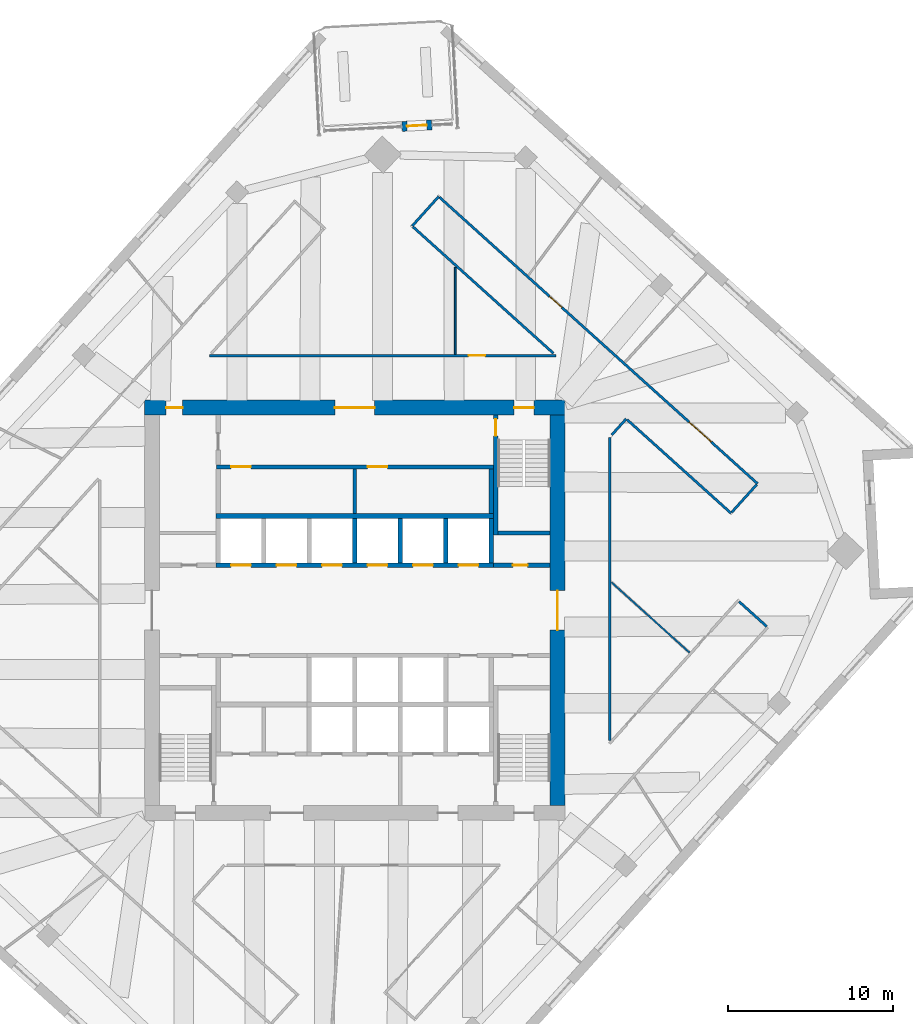
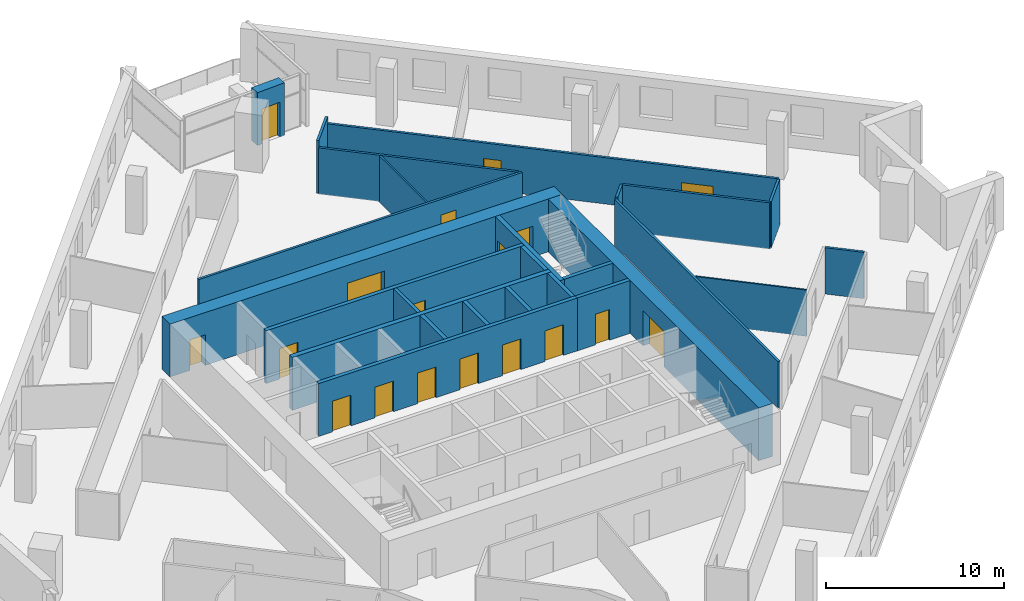
# One storey, part 9 of 12: 26 walls, 18 doors, 18 openings.
"""IFC4 building model written with IfcOpenShell, lengths in metres."""

import ifcopenshell
import ifcopenshell.guid

model = None  # the IFC model being written
_history = None  # IfcOwnerHistory: only IFC2X3 demands one
_inside = {}  # id of a spatial element -> (the spatial element, [elements in it])
_under = {}  # id of a project, library or spatial element -> (it, [spatial elements below it])
_declared = {}  # id of a project -> (the project, [libraries it declares])
_typed = {}  # id of a type object -> (the type object, [elements of that type])
_made_of = {}  # id of a material, layer set ... -> (it, [elements and type objects made of it])


def new_model(schema):
    """Start an empty IFC model of exactly this schema.

    Asked for "IFC4X3", IfcOpenShell would pick the latest addendum, in which some entities
    have other attributes; the version numbers below select the first issue.
    IFC2X3 requires an IfcOwnerHistory on every rooted entity: one is made here for all.
    """
    global model, _history
    if schema == "IFC4X3":
        model = ifcopenshell.file(schema_version=(4, 3, 0, 0))
    else:
        model = ifcopenshell.file(schema=schema)
    _inside.clear()
    _under.clear()
    _declared.clear()
    _typed.clear()
    _made_of.clear()
    _history = None
    if model.schema == "IFC2X3":
        org = make("IfcOrganization", Name="unknown")
        user = make(
            "IfcPersonAndOrganization",
            ThePerson=make("IfcPerson", FamilyName="unknown"),
            TheOrganization=org,
        )
        app = make(
            "IfcApplication",
            ApplicationDeveloper=org,
            Version="unknown",
            ApplicationFullName="unknown",
            ApplicationIdentifier="unknown",
        )
        _history = make(
            "IfcOwnerHistory",
            OwningUser=user,
            OwningApplication=app,
            ChangeAction="ADDED",
            CreationDate=0,
        )
    return model


def make(cls, **values):
    """One entity of the class cls with the attributes given. An attribute that is None is left unset."""
    return model.create_entity(
        cls, **{name: value for name, value in values.items() if value is not None}
    )


def rooted(cls, **values):
    """An entity with a GlobalId (a new one), such as an element, a storey or a relation."""
    return make(cls, GlobalId=ifcopenshell.guid.new(), OwnerHistory=_history, **values)


def si_unit(unit_type, name, prefix=None):
    """IfcSIUnit, for example si_unit("LENGTHUNIT", "METRE", prefix="MILLI")."""
    return make("IfcSIUnit", UnitType=unit_type, Prefix=prefix, Name=name)


def assignment(units):
    """IfcUnitAssignment: the units of a project."""
    return None if units is None else make("IfcUnitAssignment", Units=units)


def point(xyz):
    """IfcCartesianPoint."""
    return None if xyz is None else make("IfcCartesianPoint", Coordinates=xyz)


def direction(xyz):
    """IfcDirection."""
    return None if xyz is None else make("IfcDirection", DirectionRatios=xyz)


def frame(location, z_axis=None, x_axis=None):
    """IfcAxis2Placement3D, a coordinate frame: its origin and axes. An axis left out is left unset."""
    return make(
        "IfcAxis2Placement3D",
        Location=point(location),
        Axis=direction(z_axis),
        RefDirection=direction(x_axis),
    )


def frame_2d(location, x_axis=None):
    """IfcAxis2Placement2D, a coordinate frame in the plane: its origin and x axis."""
    return make(
        "IfcAxis2Placement2D", Location=point(location), RefDirection=direction(x_axis)
    )


def origin():
    """The frame at (0, 0, 0) with its axes left unset."""
    return frame((0.0, 0.0, 0.0))


def place(relative_to, where):
    """IfcLocalPlacement: puts the frame where relative to a parent placement (None: the world)."""
    return make(
        "IfcLocalPlacement", PlacementRelTo=relative_to, RelativePlacement=where
    )


def context(
    kind, dimensions, precision=None, world=None, true_north=None, identifier=None
):
    """IfcGeometricRepresentationContext, for example the 3D "Model" context."""
    return make(
        "IfcGeometricRepresentationContext",
        ContextIdentifier=identifier,
        ContextType=kind,
        CoordinateSpaceDimension=dimensions,
        Precision=precision,
        WorldCoordinateSystem=world,
        TrueNorth=true_north,
    )


def subcontext(parent, identifier, kind, view, scale=None):
    """IfcGeometricRepresentationSubContext, for example "Body" below "Model"."""
    return make(
        "IfcGeometricRepresentationSubContext",
        ContextIdentifier=identifier,
        ContextType=kind,
        ParentContext=parent,
        TargetScale=scale,
        TargetView=view,
    )


def project(units=None, contexts=None):
    """IfcProject with its units and contexts."""
    return rooted(
        "IfcProject",
        Name="project",
        RepresentationContexts=contexts,
        UnitsInContext=assignment(units),
    )


def spatial(cls, under=None, at=None, **own):
    """A site, building, storey or space (cls), placed at a placement, below another one or the project."""
    s = rooted(cls, ObjectPlacement=at, **own)
    if under is not None:
        _under.setdefault(under.id(), (under, []))[1].append(s)
    return s


def profile(cls, at=None, kind="AREA", **sizes):
    """A parametric profile (cls). Its sizes go by their IFC names, for example OverallWidth=200.0."""
    return make(cls, ProfileType=kind, Position=at, **sizes)


def rectangle(**sizes):
    """IfcRectangleProfileDef."""
    return profile("IfcRectangleProfileDef", **sizes)


def extrude(swept, where, along, depth):
    """IfcExtrudedAreaSolid: the profile swept, set in the frame where, extruded along a direction by depth."""
    return make(
        "IfcExtrudedAreaSolid",
        SweptArea=swept,
        Position=where,
        ExtrudedDirection=direction(along),
        Depth=depth,
    )


def shape(context_of_items, identifier, shape_type, items):
    """IfcShapeRepresentation: the items that make up one representation, for example the "Body"."""
    return make(
        "IfcShapeRepresentation",
        ContextOfItems=context_of_items,
        RepresentationIdentifier=identifier,
        RepresentationType=shape_type,
        Items=items,
    )


def material(Name=None, Category=None):
    """IfcMaterial."""
    return make("IfcMaterial", Name=Name, Category=Category)


def layer(
    of_material, thickness, ventilated=None, Name=None, Category=None, Priority=None
):
    """IfcMaterialLayer: one layer of a wall or slab, of a material (None: an air gap)."""
    return make(
        "IfcMaterialLayer",
        Material=of_material,
        LayerThickness=thickness,
        IsVentilated=ventilated,
        Name=Name,
        Category=Category,
        Priority=Priority,
    )


def layer_set(layers, Name=None):
    """IfcMaterialLayerSet."""
    return make("IfcMaterialLayerSet", MaterialLayers=layers, LayerSetName=Name)


def made_of(thing, what):
    """Note that an element or type object is made of a material, layer set ...; save() writes the relation."""
    if what is not None:
        _made_of.setdefault(what.id(), (what, []))[1].append(thing)
    return thing


def type_object(cls, material=None, **own):
    """A type object (cls), such as IfcWallType, which elements share."""
    return made_of(rooted(cls, **own), material)


def element(
    cls,
    number,
    at=None,
    inside=None,
    cuts=None,
    type_object=None,
    material=None,
    context=None,
    identifier="Body",
    shape_type=None,
    held_by="IfcProductDefinitionShape",
    body=None,
    shapes=None,
    **own,
):
    """One element of the class cls, such as IfcWall. Its Tag is "e" and its number.

    at: its placement. inside: the storey or other place that contains it. cuts: it is an
    opening in that element (IfcRelVoidsElement). A single representation is given by context,
    identifier, shape_type and body (its items); several are given by shapes. held_by: the class
    of the entity that holds the representations. save() writes the other relations.
    """
    e = rooted(cls, Tag="e%d" % number, ObjectPlacement=at, **own)
    if body is not None:
        shapes = [shape(context, identifier, shape_type, body)]
    if shapes is not None:
        e.Representation = make(held_by, Representations=shapes)
    if inside is not None:
        _inside.setdefault(inside.id(), (inside, []))[1].append(e)
    if cuts is not None:
        rooted(
            "IfcRelVoidsElement", RelatingBuildingElement=cuts, RelatedOpeningElement=e
        )
    if type_object is not None:
        _typed.setdefault(type_object.id(), (type_object, []))[1].append(e)
    return made_of(e, material)


def fill(opening, filler):
    """IfcRelFillsElement: the door or window that sits in an opening."""
    return rooted(
        "IfcRelFillsElement",
        RelatingOpeningElement=opening,
        RelatedBuildingElement=filler,
    )


def aggregate(whole, parts):
    """IfcRelAggregates: a whole, such as a stair, and the parts it consists of."""
    return rooted("IfcRelAggregates", RelatingObject=whole, RelatedObjects=parts)


def save(model, path):
    """Write the relations noted so far, then the file.

    IfcRelAggregates (storeys below a building ...), IfcRelContainedInSpatialStructure (elements
    in a storey), IfcRelDefinesByType, IfcRelAssociatesMaterial and IfcRelDeclares: one each for
    every whole, place, type object, material and project.
    """
    for whole, parts in _under.values():
        aggregate(whole, parts)
    for where, things in _inside.values():
        rooted(
            "IfcRelContainedInSpatialStructure",
            RelatedElements=things,
            RelatingStructure=where,
        )
    for kind, things in _typed.values():
        rooted("IfcRelDefinesByType", RelatedObjects=things, RelatingType=kind)
    for what, things in _made_of.values():
        rooted("IfcRelAssociatesMaterial", RelatedObjects=things, RelatingMaterial=what)
    for by, libraries in _declared.values():
        rooted("IfcRelDeclares", RelatingContext=by, RelatedDefinitions=libraries)
    model.write(path)


model = new_model("IFC4")

# Units and contexts
model_context = context("Model", 3, precision=1e-05, world=origin(), true_north=direction((0.0, 1.0)))
body_context = subcontext(model_context, "Body", "Model", "MODEL_VIEW")
ifc_project = project(units=[si_unit("LENGTHUNIT", "METRE"), si_unit("AREAUNIT", "SQUARE_METRE"), si_unit("VOLUMEUNIT", "CUBIC_METRE"), si_unit("PLANEANGLEUNIT", "RADIAN"), si_unit("MASSUNIT", "GRAM", prefix="KILO")], contexts=[model_context])

# Site, building, storey
site_placement = place(None, origin())
site = spatial("IfcSite", under=ifc_project, at=site_placement, CompositionType="ELEMENT")
building_placement = place(site_placement, origin())
building = spatial("IfcBuilding", under=site, at=building_placement, Name="Dilmun Exchange Tower", CompositionType="ELEMENT")
storey_placement = place(building_placement, frame((0.0, 0.0, 221.300048828125)))
storey = spatial("IfcBuildingStorey", under=building, at=storey_placement, Name="L52", CompositionType="ELEMENT", Elevation=221.300048828125)

# Wall
ifc_material_1 = material(Name="Concrete C40/50", Category="concrete")
ifc_layer_1 = layer(ifc_material_1, 0.199951171875)
ifc_layer_set_1 = layer_set([ifc_layer_1], Name="Concrete C40/50")
wall_type_1 = type_object("IfcWallType", Name="Core partition wall 200", PredefinedType="PARTITIONING", material=ifc_layer_set_1)
wall_1_placement = place(storey_placement, frame((0.0, 5.85498046875, 0.0), z_axis=(0.0, 0.0, 1.0), x_axis=(0.0, 1.0, 0.0)))
element("IfcWall", 1, at=wall_1_placement, inside=storey, type_object=wall_type_1, Name="L52 core partition wall 14", PredefinedType="PARTITIONING", context=body_context, shape_type="SweptSolid", body=[
    extrude(rectangle(XDim=2.68994140625, YDim=0.199951171875, at=frame_2d((1.344970703125, 0.0))), origin(), (0.0, 0.0, 1.0), 3.619873046875),
])

# Wall, opening, door
ifc_layer_2 = layer(ifc_material_1, 0.25)
ifc_layer_set_2 = layer_set([ifc_layer_2], Name="Concrete C40/50")
wall_type_2 = type_object("IfcWallType", Name="Core partition wall 250", PredefinedType="PARTITIONING", material=ifc_layer_set_2)
wall_2_placement = place(storey_placement, frame((8.3798828125, 2.72509765625, 0.0), z_axis=(0.0, 0.0, 1.0), x_axis=(1.0, 0.0, 0.0)))
wall_2 = element("IfcWall", 2, at=wall_2_placement, inside=storey, type_object=wall_type_2, Name="L52 core partition wall 11", PredefinedType="PARTITIONING", context=body_context, shape_type="SweptSolid", body=[
    extrude(rectangle(XDim=3.4150390625, YDim=0.25, at=frame_2d((1.70751953125, 0.0))), origin(), (0.0, 0.0, 1.0), 3.619873046875),
])
opening_1_placement = place(wall_2_placement, frame((1.169921875, 0.0, 0.0)))
opening_1 = element("IfcOpeningElement", 3, at=opening_1_placement, cuts=wall_2, Name="Opening CD6", PredefinedType="OPENING", context=body_context, shape_type="SweptSolid", body=[
    extrude(rectangle(XDim=0.89990234375, YDim=2.10009765625, at=frame_2d((0.449951171875, 1.050048828125))), frame((0.0, 0.135009765625, 0.0), z_axis=(0.0, -1.0, 0.0), x_axis=(1.0, 0.0, 0.0)), (0.0, 0.0, 1.0), 0.27001953125),
])
ifc_material_2 = material(Name="Fire-rated steel door set", Category="steel")
door_type_1 = type_object("IfcDoorType", Name="Core room door 900x2100", OperationType="SINGLE_SWING_LEFT", PredefinedType="DOOR", material=ifc_material_2)
door_1_placement = place(opening_1_placement, origin())
door_1 = element("IfcDoor", 4, at=door_1_placement, inside=storey, type_object=door_type_1, Name="L52 door Electrical riser", OperationType="SINGLE_SWING_LEFT", OverallHeight=2.10009765625, OverallWidth=0.89990234375, PredefinedType="DOOR", context=body_context, shape_type="SweptSolid", body=[
    extrude(rectangle(XDim=0.89990234375, YDim=2.10009765625, at=frame_2d((0.449951171875, 1.050048828125))), frame((0.0, 0.02490234375, 0.0), z_axis=(0.0, -1.0, 0.0), x_axis=(1.0, 0.0, 0.0)), (0.0, 0.0, 1.0), 0.050048828125),
])
fill(opening_1, door_1)

# Wall
wall_3_placement = place(storey_placement, frame((8.25, 5.85498046875, 0.0), z_axis=(0.0, 0.0, 1.0), x_axis=(0.0, 1.0, 0.0)))
element("IfcWall", 5, at=wall_3_placement, inside=storey, type_object=wall_type_2, Name="L52 core partition wall 15", PredefinedType="PARTITIONING", context=body_context, shape_type="SweptSolid", body=[
    extrude(rectangle(XDim=2.68994140625, YDim=0.25, at=frame_2d((1.344970703125, 0.0))), origin(), (0.0, 0.0, 1.0), 3.619873046875),
])

# Wall, openings, doors
wall_4_placement = place(storey_placement, frame((-8.35009765625, 8.675048828125, 0.0), z_axis=(0.0, 0.0, 1.0), x_axis=(1.0, 0.0, 0.0)))
wall_4 = element("IfcWall", 6, at=wall_4_placement, inside=storey, type_object=wall_type_2, Name="L52 core partition wall 16", PredefinedType="PARTITIONING", context=body_context, shape_type="SweptSolid", body=[
    extrude(rectangle(XDim=16.72021484375, YDim=0.25, at=frame_2d((8.360107421875, 0.0))), origin(), (0.0, 0.0, 1.0), 3.619873046875),
])
opening_2_placement = place(wall_4_placement, frame((0.875, 0.0, 0.0)))
opening_2 = element("IfcOpeningElement", 7, at=opening_2_placement, cuts=wall_4, Name="Opening CD3", PredefinedType="OPENING", context=body_context, shape_type="SweptSolid", body=[
    extrude(rectangle(XDim=1.199951171875, YDim=2.10009765625, at=frame_2d((0.60009765625, 1.050048828125))), frame((0.0, 0.135009765625, 0.0), z_axis=(0.0, -1.0, 0.0), x_axis=(1.0, 0.0, 0.0)), (0.0, 0.0, 1.0), 0.27001953125),
])
opening_3_placement = place(wall_4_placement, frame((9.125, 0.0, 0.0)))
opening_3 = element("IfcOpeningElement", 8, at=opening_3_placement, cuts=wall_4, Name="Opening CD3", PredefinedType="OPENING", context=body_context, shape_type="SweptSolid", body=[
    extrude(rectangle(XDim=1.199951171875, YDim=2.10009765625, at=frame_2d((0.60009765625, 1.050048828125))), frame((0.0, 0.135009765625, 0.0), z_axis=(0.0, -1.0, 0.0), x_axis=(1.0, 0.0, 0.0)), (0.0, 0.0, 1.0), 0.27001953125),
])
door_type_2 = type_object("IfcDoorType", Name="Stair exit door 1200x2100", OperationType="SINGLE_SWING_LEFT", PredefinedType="DOOR", material=ifc_material_2)
door_2_placement = place(opening_2_placement, origin())
door_2 = element("IfcDoor", 9, at=door_2_placement, inside=storey, type_object=door_type_2, Name="L52 door Quiet working room", OperationType="SINGLE_SWING_LEFT", OverallHeight=2.10009765625, OverallWidth=1.199951171875, PredefinedType="DOOR", context=body_context, shape_type="SweptSolid", body=[
    extrude(rectangle(XDim=1.199951171875, YDim=2.10009765625, at=frame_2d((0.60009765625, 1.050048828125))), frame((0.0, 0.02490234375, 0.0), z_axis=(0.0, -1.0, 0.0), x_axis=(1.0, 0.0, 0.0)), (0.0, 0.0, 1.0), 0.050048828125),
])
fill(opening_2, door_2)
door_3_placement = place(opening_3_placement, origin())
door_3 = element("IfcDoor", 10, at=door_3_placement, inside=storey, type_object=door_type_2, Name="L52 door Building management office", OperationType="SINGLE_SWING_LEFT", OverallHeight=2.10009765625, OverallWidth=1.199951171875, PredefinedType="DOOR", context=body_context, shape_type="SweptSolid", body=[
    extrude(rectangle(XDim=1.199951171875, YDim=2.10009765625, at=frame_2d((0.60009765625, 1.050048828125))), frame((0.0, 0.02490234375, 0.0), z_axis=(0.0, -1.0, 0.0), x_axis=(1.0, 0.0, 0.0)), (0.0, 0.0, 1.0), 0.050048828125),
])
fill(opening_3, door_3)

ifc_material_3 = material(Name="Concrete C60/75", Category="concrete")
ifc_layer_3 = layer(ifc_material_3, 0.89990234375)
ifc_layer_set_3 = layer_set([ifc_layer_3], Name="Concrete C60/75")
wall_type_3 = type_object("IfcWallType", Name="Core shear wall 900 Concrete C60/75", PredefinedType="SHEAR", material=ifc_layer_set_3)
wall_5_placement = place(storey_placement, frame((-12.699951171875, 12.25, 0.0), z_axis=(0.0, 0.0, 1.0), x_axis=(1.0, 0.0, 0.0)))
wall_5 = element("IfcWall", 11, at=wall_5_placement, inside=storey, type_object=wall_type_3, Name="L52 core shear wall N", PredefinedType="SHEAR", context=body_context, shape_type="SweptSolid", body=[
    extrude(rectangle(XDim=25.39990234375, YDim=0.89990234375, at=frame_2d((12.699951171875, 0.0))), origin(), (0.0, 0.0, 1.0), 3.619873046875),
])
opening_4_placement = place(wall_5_placement, frame((11.5, 0.0, 0.0)))
opening_4 = element("IfcOpeningElement", 12, at=opening_4_placement, cuts=wall_5, Name="Opening CD1", PredefinedType="OPENING", context=body_context, shape_type="SweptSolid", body=[
    extrude(rectangle(XDim=2.39990234375, YDim=2.39990234375, at=frame_2d((1.199951171875, 1.199951171875))), frame((0.0, 0.4599609375, 0.0), z_axis=(0.0, -1.0, 0.0), x_axis=(1.0, 0.0, 0.0)), (0.0, 0.0, 1.0), 0.919921875),
])
opening_5_placement = place(wall_5_placement, frame((22.324951171875, 0.0, 0.0)))
opening_5 = element("IfcOpeningElement", 13, at=opening_5_placement, cuts=wall_5, Name="Opening CD3", PredefinedType="OPENING", context=body_context, shape_type="SweptSolid", body=[
    extrude(rectangle(XDim=1.199951171875, YDim=2.10009765625, at=frame_2d((0.60009765625, 1.050048828125))), frame((0.0, 0.4599609375, 0.0), z_axis=(0.0, -1.0, 0.0), x_axis=(1.0, 0.0, 0.0)), (0.0, 0.0, 1.0), 0.919921875),
])
opening_6_placement = place(wall_5_placement, frame((1.300048828125, 0.0, 0.0)))
opening_6 = element("IfcOpeningElement", 14, at=opening_6_placement, cuts=wall_5, Name="Opening CD4", PredefinedType="OPENING", context=body_context, shape_type="SweptSolid", body=[
    extrude(rectangle(XDim=1.0, YDim=2.10009765625, at=frame_2d((0.5, 1.050048828125))), frame((0.0, 0.4599609375, 0.0), z_axis=(0.0, -1.0, 0.0), x_axis=(1.0, 0.0, 0.0)), (0.0, 0.0, 1.0), 0.919921875),
])
door_type_3 = type_object("IfcDoorType", Name="Core lobby door 2400x2400", OperationType="DOUBLE_DOOR_DOUBLE_SWING", PredefinedType="DOOR", material=ifc_material_2)
door_4_placement = place(opening_4_placement, origin())
door_4 = element("IfcDoor", 15, at=door_4_placement, inside=storey, type_object=door_type_3, Name="L52 door North lift lobby", OperationType="SINGLE_SWING_LEFT", OverallHeight=2.39990234375, OverallWidth=2.39990234375, PredefinedType="DOOR", context=body_context, shape_type="SweptSolid", body=[
    extrude(rectangle(XDim=2.39990234375, YDim=2.39990234375, at=frame_2d((1.199951171875, 1.199951171875))), frame((0.0, 0.02490234375, 0.0), z_axis=(0.0, -1.0, 0.0), x_axis=(1.0, 0.0, 0.0)), (0.0, 0.0, 1.0), 0.050048828125),
])
fill(opening_4, door_4)
door_type_4 = type_object("IfcDoorType", Name="Core room door 1000x2100", OperationType="SINGLE_SWING_LEFT", PredefinedType="DOOR", material=ifc_material_2)
door_5_placement = place(opening_6_placement, origin())
door_5 = element("IfcDoor", 16, at=door_5_placement, inside=storey, type_object=door_type_4, Name="L52 door North-west core rooms", OperationType="SINGLE_SWING_LEFT", OverallHeight=2.10009765625, OverallWidth=1.0, PredefinedType="DOOR", context=body_context, shape_type="SweptSolid", body=[
    extrude(rectangle(XDim=1.0, YDim=2.10009765625, at=frame_2d((0.5, 1.050048828125))), frame((0.0, 0.02490234375, 0.0), z_axis=(0.0, -1.0, 0.0), x_axis=(1.0, 0.0, 0.0)), (0.0, 0.0, 1.0), 0.050048828125),
])
fill(opening_6, door_5)
door_6_placement = place(opening_5_placement, origin())
door_6 = element("IfcDoor", 17, at=door_6_placement, inside=storey, type_object=door_type_2, Name="L52 door Stair ST1", OperationType="SINGLE_SWING_LEFT", OverallHeight=2.10009765625, OverallWidth=1.199951171875, PredefinedType="DOOR", context=body_context, shape_type="SweptSolid", body=[
    extrude(rectangle(XDim=1.199951171875, YDim=2.10009765625, at=frame_2d((0.60009765625, 1.050048828125))), frame((0.0, 0.02490234375, 0.0), z_axis=(0.0, -1.0, 0.0), x_axis=(1.0, 0.0, 0.0)), (0.0, 0.0, 1.0), 0.050048828125),
])
fill(opening_5, door_6)

# Wall, opening, door
wall_6_placement = place(storey_placement, frame((12.25, -11.800048828125, 0.0), z_axis=(0.0, 0.0, 1.0), x_axis=(0.0, 1.0, 0.0)))
wall_6 = element("IfcWall", 18, at=wall_6_placement, inside=storey, type_object=wall_type_3, Name="L52 core shear wall E", PredefinedType="SHEAR", context=body_context, shape_type="SweptSolid", body=[
    extrude(rectangle(XDim=23.60009765625, YDim=0.89990234375, at=frame_2d((11.800048828125, 0.0))), origin(), (0.0, 0.0, 1.0), 3.619873046875),
])
opening_7_placement = place(wall_6_placement, frame((10.60009765625, 0.0, 0.0)))
opening_7 = element("IfcOpeningElement", 19, at=opening_7_placement, cuts=wall_6, Name="Opening CD1", PredefinedType="OPENING", context=body_context, shape_type="SweptSolid", body=[
    extrude(rectangle(XDim=2.39990234375, YDim=2.39990234375, at=frame_2d((1.199951171875, 1.199951171875))), frame((0.0, 0.4599609375, 0.0), z_axis=(0.0, -1.0, 0.0), x_axis=(1.0, 0.0, 0.0)), (0.0, 0.0, 1.0), 0.919921875),
])
door_7_placement = place(opening_7_placement, origin())
door_7 = element("IfcDoor", 20, at=door_7_placement, inside=storey, type_object=door_type_3, Name="L52 door Central lift lobby", OperationType="SINGLE_SWING_LEFT", OverallHeight=2.39990234375, OverallWidth=2.39990234375, PredefinedType="DOOR", context=body_context, shape_type="SweptSolid", body=[
    extrude(rectangle(XDim=2.39990234375, YDim=2.39990234375, at=frame_2d((1.199951171875, 1.199951171875))), frame((0.0, 0.02490234375, 0.0), z_axis=(0.0, -1.0, 0.0), x_axis=(1.0, 0.0, 0.0)), (0.0, 0.0, 1.0), 0.050048828125),
])
fill(opening_7, door_7)

ifc_material_4 = material(Name="Corridor wall 150")
ifc_layer_4 = layer(ifc_material_4, 0.14990234375)
ifc_layer_set_4 = layer_set([ifc_layer_4], Name="Corridor wall 150")
wall_type_4 = type_object("IfcWallType", Name="Corridor wall 150", PredefinedType="PARTITIONING", material=ifc_layer_set_4)
wall_7_placement = place(storey_placement, frame((-8.778076171875, 15.39990234375, 0.0), z_axis=(0.0, 0.0, 1.0), x_axis=(1.0, 0.0, 0.0)))
wall_7 = element("IfcWall", 21, at=wall_7_placement, inside=storey, type_object=wall_type_4, Name="Corridor wall", PredefinedType="PARTITIONING", context=body_context, shape_type="SweptSolid", body=[
    extrude(rectangle(XDim=20.93408203125, YDim=0.14990234375, at=frame_2d((10.467041015625, 0.0))), origin(), (0.0, 0.0, 1.0), 3.169921875),
])
opening_8_placement = place(wall_7_placement, frame((15.65380859375, 0.0, 0.0)))
opening_8 = element("IfcOpeningElement", 22, at=opening_8_placement, cuts=wall_7, Name="Opening TF51-D12", PredefinedType="OPENING", context=body_context, shape_type="SweptSolid", body=[
    extrude(rectangle(XDim=1.0, YDim=2.10009765625, at=frame_2d((0.5, 1.050048828125))), frame((0.0, 0.0849609375, 0.0), z_axis=(0.0, -1.0, 0.0), x_axis=(1.0, 0.0, 0.0)), (0.0, 0.0, 1.0), 0.169921875),
])
ifc_material_5 = material(Name="Fire door 1000 x 2100")
door_type_5 = type_object("IfcDoorType", Name="Fire door 1000 x 2100", OperationType="NOTDEFINED", PredefinedType="DOOR", material=ifc_material_5)
door_8_placement = place(opening_8_placement, origin())
door_8 = element("IfcDoor", 23, at=door_8_placement, inside=storey, type_object=door_type_5, Name="Door TF51-D12", OperationType="SINGLE_SWING_LEFT", OverallHeight=2.10009765625, OverallWidth=1.0, PredefinedType="DOOR", context=body_context, shape_type="SweptSolid", body=[
    extrude(rectangle(XDim=1.0, YDim=2.10009765625, at=frame_2d((0.5, 1.050048828125))), frame((0.0, 0.02490234375, 0.0), z_axis=(0.0, -1.0, 0.0), x_axis=(1.0, 0.0, 0.0)), (0.0, 0.0, 1.0), 0.050048828125),
])
fill(opening_8, door_8)

# Walls
wall_8_placement = place(storey_placement, frame((3.466064453125, 23.22412109375, 0.0), z_axis=(0.0, 0.0, 1.0), x_axis=(0.669060256522, 0.743208162726, 0.0)))
element("IfcWall", 24, at=wall_8_placement, inside=storey, type_object=wall_type_4, Name="Corridor wall", PredefinedType="PARTITIONING", context=body_context, shape_type="SweptSolid", body=[
    extrude(rectangle(XDim=2.400390625, YDim=0.14990234375, at=frame_2d((1.2001953125, 0.0))), origin(), (0.0, 0.0, 1.0), 3.619873046875),
])
wall_9_placement = place(storey_placement, frame((3.521728515625, 23.173828125, 0.0), z_axis=(0.0, 0.0, 1.0), x_axis=(0.743165539408, -0.669107600492, 0.0)))
element("IfcWall", 25, at=wall_9_placement, inside=storey, type_object=wall_type_4, Name="Corridor wall", PredefinedType="PARTITIONING", context=body_context, shape_type="SweptSolid", body=[
    extrude(rectangle(XDim=11.4228515625, YDim=0.14990234375, at=frame_2d((5.71142578125, 0.0))), origin(), (0.0, 0.0, 1.0), 3.169921875),
])

# Wall, openings, doors
wall_10_placement = place(storey_placement, frame((5.127685546875, 24.957763671875, 0.0), z_axis=(0.0, 0.0, 1.0), x_axis=(0.743144813636, -0.66913061951, 0.0)))
wall_10 = element("IfcWall", 26, at=wall_10_placement, inside=storey, type_object=wall_type_4, Name="Corridor wall", PredefinedType="PARTITIONING", context=body_context, shape_type="SweptSolid", body=[
    extrude(rectangle(XDim=25.854248046875, YDim=0.14990234375, at=frame_2d((12.92724609375, 0.0))), origin(), (0.0, 0.0, 1.0), 3.169921875),
])
opening_9_placement = place(wall_10_placement, frame((8.94580078125, 0.0, 0.0)))
opening_9 = element("IfcOpeningElement", 27, at=opening_9_placement, cuts=wall_10, Name="Opening TF51-D14", PredefinedType="OPENING", context=body_context, shape_type="SweptSolid", body=[
    extrude(rectangle(XDim=1.0, YDim=2.10009765625, at=frame_2d((0.5, 1.050048828125))), frame((0.0, 0.0849609375, 0.0), z_axis=(0.0, -1.0, 0.0), x_axis=(1.0, 0.0, 0.0)), (0.0, 0.0, 1.0), 0.169921875),
])
opening_10_placement = place(wall_10_placement, frame((20.290283203125, 0.0, 0.0)))
opening_10 = element("IfcOpeningElement", 28, at=opening_10_placement, cuts=wall_10, Name="Opening TF51-D17", PredefinedType="OPENING", context=body_context, shape_type="SweptSolid", body=[
    extrude(rectangle(XDim=1.800048828125, YDim=2.10009765625, at=frame_2d((0.89990234375, 1.050048828125))), frame((0.0, 0.0849609375, 0.0), z_axis=(0.0, -1.0, 0.0), x_axis=(1.0, 0.0, 0.0)), (0.0, 0.0, 1.0), 0.169921875),
])
door_9_placement = place(opening_9_placement, origin())
door_9 = element("IfcDoor", 29, at=door_9_placement, inside=storey, type_object=door_type_5, Name="Door TF51-D14", OperationType="SINGLE_SWING_RIGHT", OverallHeight=2.10009765625, OverallWidth=1.0, PredefinedType="DOOR", context=body_context, shape_type="SweptSolid", body=[
    extrude(rectangle(XDim=1.0, YDim=2.10009765625, at=frame_2d((0.5, 1.050048828125))), frame((0.0, 0.02490234375, 0.0), z_axis=(0.0, -1.0, 0.0), x_axis=(1.0, 0.0, 0.0)), (0.0, 0.0, 1.0), 0.050048828125),
])
fill(opening_9, door_9)
ifc_material_6 = material(Name="Fire door pair 1800 x 2100")
door_type_6 = type_object("IfcDoorType", Name="Fire door pair 1800 x 2100", OperationType="NOTDEFINED", PredefinedType="DOOR", material=ifc_material_6)
door_10_placement = place(opening_10_placement, origin())
door_10 = element("IfcDoor", 30, at=door_10_placement, inside=storey, type_object=door_type_6, Name="Door TF51-D17", OperationType="DOUBLE_DOOR_SINGLE_SWING", OverallHeight=2.10009765625, OverallWidth=1.800048828125, PredefinedType="DOOR", context=body_context, shape_type="SweptSolid", body=[
    extrude(rectangle(XDim=1.800048828125, YDim=2.10009765625, at=frame_2d((0.89990234375, 1.050048828125))), frame((0.0, 0.02490234375, 0.0), z_axis=(0.0, -1.0, 0.0), x_axis=(1.0, 0.0, 0.0)), (0.0, 0.0, 1.0), 0.050048828125),
])
fill(opening_10, door_10)

# Walls
wall_11_placement = place(storey_placement, frame((15.39990234375, -7.8505859375, 0.0), z_axis=(0.0, 0.0, 1.0), x_axis=(0.0, 1.0, 0.0)))
element("IfcWall", 31, at=wall_11_placement, inside=storey, type_object=wall_type_4, Name="Corridor wall", PredefinedType="PARTITIONING", context=body_context, shape_type="SweptSolid", body=[
    extrude(rectangle(XDim=18.30859375, YDim=0.14990234375, at=frame_2d((9.154296875, 0.0))), origin(), (0.0, 0.0, 1.0), 3.169921875),
])
wall_12_placement = place(storey_placement, frame((15.53076171875, 10.603271484375, 0.0), z_axis=(0.0, 0.0, 1.0), x_axis=(0.669233140763, 0.743052490275, 0.0)))
element("IfcWall", 32, at=wall_12_placement, inside=storey, type_object=wall_type_4, Name="Corridor wall", PredefinedType="PARTITIONING", context=body_context, shape_type="SweptSolid", body=[
    extrude(rectangle(XDim=1.306396484375, YDim=0.14990234375, at=frame_2d((0.6533203125, 0.0))), origin(), (0.0, 0.0, 1.0), 3.169921875),
])
wall_13_placement = place(storey_placement, frame((16.460693359375, 11.523681640625, 0.0), z_axis=(0.0, 0.0, 1.0), x_axis=(0.743193483902, -0.669076561752, 0.0)))
element("IfcWall", 33, at=wall_13_placement, inside=storey, type_object=wall_type_4, Name="Corridor wall", PredefinedType="PARTITIONING", context=body_context, shape_type="SweptSolid", body=[
    extrude(rectangle(XDim=8.4423828125, YDim=0.14990234375, at=frame_2d((4.22119140625, 0.0))), origin(), (0.0, 0.0, 1.0), 3.169921875),
])
for number, where, z_axis, x_axis, name in (
    (34, (22.78515625, 5.9306640625, 0.0), (0.0, 0.0, 1.0), (0.669246477345, 0.743040478414, 0.0), "Corridor wall"),
    (35, (23.224609375, 0.53173828125, 0.0), (0.0, 0.0, 1.0), (0.743040478414, -0.669246477345, 0.0), "Corridor wall"),
):
    element("IfcWall", number, at=place(storey_placement, frame(where, z_axis=z_axis, x_axis=x_axis)), inside=storey, type_object=wall_type_4, Name=name, PredefinedType="PARTITIONING", context=body_context, shape_type="SweptSolid", body=[
        extrude(rectangle(XDim=2.249755859375, YDim=0.14990234375, at=frame_2d((1.125, 0.0))), origin(), (0.0, 0.0, 1.0), 3.169921875),
    ])
ifc_layer_5 = layer(ifc_material_1, 0.300048828125)
ifc_layer_set_5 = layer_set([ifc_layer_5], Name="Concrete C40/50")
wall_type_5 = type_object("IfcWallType", Name="Lift shaft shared wall 300", PredefinedType="SOLIDWALL", material=ifc_layer_set_5)
wall_14_placement = place(storey_placement, frame((-8.375, 5.699951171875, 0.0), z_axis=(0.0, 0.0, 1.0), x_axis=(1.0, 0.0, 0.0)))
element("IfcWall", 36, at=wall_14_placement, inside=storey, type_object=wall_type_5, Name="L52 lift shaft rear wall N", PredefinedType="SOLIDWALL", context=body_context, shape_type="SweptSolid", body=[
    extrude(rectangle(XDim=16.75, YDim=0.300048828125, at=frame_2d((8.375, 0.0))), origin(), (0.0, 0.0, 1.0), 3.619873046875),
])

# Wall, openings, doors
ifc_layer_6 = layer(ifc_material_1, 0.25)
ifc_layer_set_6 = layer_set([ifc_layer_6], Name="Concrete C40/50")
wall_type_6 = type_object("IfcWallType", Name="Lift shaft wall 250", PredefinedType="SOLIDWALL", material=ifc_layer_set_6)
wall_15_placement = place(storey_placement, frame((-8.375, 2.72509765625, 0.0), z_axis=(0.0, 0.0, 1.0), x_axis=(1.0, 0.0, 0.0)))
wall_15 = element("IfcWall", 37, at=wall_15_placement, inside=storey, type_object=wall_type_6, Name="L52 lift shaft front wall N1", PredefinedType="SOLIDWALL", context=body_context, shape_type="SweptSolid", body=[
    extrude(rectangle(XDim=16.75, YDim=0.25, at=frame_2d((8.375, 0.0))), origin(), (0.0, 0.0, 1.0), 3.619873046875),
])
opening_11_placement = place(wall_15_placement, frame((0.89990234375, 0.0, 0.0)))
opening_11 = element("IfcOpeningElement", 38, at=opening_11_placement, cuts=wall_15, Name="Opening LD", PredefinedType="OPENING", context=body_context, shape_type="SweptSolid", body=[
    extrude(rectangle(XDim=1.199951171875, YDim=2.10009765625, at=frame_2d((0.60009765625, 1.050048828125))), frame((0.0, 0.135009765625, 0.0), z_axis=(0.0, -1.0, 0.0), x_axis=(1.0, 0.0, 0.0)), (0.0, 0.0, 1.0), 0.27001953125),
])
opening_12_placement = place(wall_15_placement, frame((3.64990234375, 0.0, 0.0)))
opening_12 = element("IfcOpeningElement", 39, at=opening_12_placement, cuts=wall_15, Name="Opening LD", PredefinedType="OPENING", context=body_context, shape_type="SweptSolid", body=[
    extrude(rectangle(XDim=1.199951171875, YDim=2.10009765625, at=frame_2d((0.60009765625, 1.050048828125))), frame((0.0, 0.135009765625, 0.0), z_axis=(0.0, -1.0, 0.0), x_axis=(1.0, 0.0, 0.0)), (0.0, 0.0, 1.0), 0.27001953125),
])
opening_13_placement = place(wall_15_placement, frame((6.39990234375, 0.0, 0.0)))
opening_13 = element("IfcOpeningElement", 40, at=opening_13_placement, cuts=wall_15, Name="Opening LD", PredefinedType="OPENING", context=body_context, shape_type="SweptSolid", body=[
    extrude(rectangle(XDim=1.199951171875, YDim=2.10009765625, at=frame_2d((0.60009765625, 1.050048828125))), frame((0.0, 0.135009765625, 0.0), z_axis=(0.0, -1.0, 0.0), x_axis=(1.0, 0.0, 0.0)), (0.0, 0.0, 1.0), 0.27001953125),
])
opening_14_placement = place(wall_15_placement, frame((9.14990234375, 0.0, 0.0)))
opening_14 = element("IfcOpeningElement", 41, at=opening_14_placement, cuts=wall_15, Name="Opening LD", PredefinedType="OPENING", context=body_context, shape_type="SweptSolid", body=[
    extrude(rectangle(XDim=1.199951171875, YDim=2.10009765625, at=frame_2d((0.60009765625, 1.050048828125))), frame((0.0, 0.135009765625, 0.0), z_axis=(0.0, -1.0, 0.0), x_axis=(1.0, 0.0, 0.0)), (0.0, 0.0, 1.0), 0.27001953125),
])
opening_15_placement = place(wall_15_placement, frame((11.89990234375, 0.0, 0.0)))
opening_15 = element("IfcOpeningElement", 42, at=opening_15_placement, cuts=wall_15, Name="Opening LD", PredefinedType="OPENING", context=body_context, shape_type="SweptSolid", body=[
    extrude(rectangle(XDim=1.199951171875, YDim=2.10009765625, at=frame_2d((0.60009765625, 1.050048828125))), frame((0.0, 0.135009765625, 0.0), z_axis=(0.0, -1.0, 0.0), x_axis=(1.0, 0.0, 0.0)), (0.0, 0.0, 1.0), 0.27001953125),
])
opening_16_placement = place(wall_15_placement, frame((14.64990234375, 0.0, 0.0)))
opening_16 = element("IfcOpeningElement", 43, at=opening_16_placement, cuts=wall_15, Name="Opening LD", PredefinedType="OPENING", context=body_context, shape_type="SweptSolid", body=[
    extrude(rectangle(XDim=1.199951171875, YDim=2.10009765625, at=frame_2d((0.60009765625, 1.050048828125))), frame((0.0, 0.135009765625, 0.0), z_axis=(0.0, -1.0, 0.0), x_axis=(1.0, 0.0, 0.0)), (0.0, 0.0, 1.0), 0.27001953125),
])
door_type_7 = type_object("IfcDoorType", Name="Lift landing door 1200x2100", OperationType="DOUBLE_DOOR_SLIDING", PredefinedType="DOOR", material=ifc_material_2)
door_11_placement = place(opening_11_placement, origin())
door_11 = element("IfcDoor", 44, at=door_11_placement, inside=storey, type_object=door_type_7, Name="L52 landing door MR1", OperationType="DOUBLE_DOOR_SLIDING", OverallHeight=2.10009765625, OverallWidth=1.199951171875, PredefinedType="DOOR", context=body_context, shape_type="SweptSolid", body=[
    extrude(rectangle(XDim=1.199951171875, YDim=2.10009765625, at=frame_2d((0.60009765625, 1.050048828125))), frame((0.0, 0.02490234375, 0.0), z_axis=(0.0, -1.0, 0.0), x_axis=(1.0, 0.0, 0.0)), (0.0, 0.0, 1.0), 0.050048828125),
])
fill(opening_11, door_11)
door_12_placement = place(opening_12_placement, origin())
door_12 = element("IfcDoor", 45, at=door_12_placement, inside=storey, type_object=door_type_7, Name="L52 landing door MR2", OperationType="DOUBLE_DOOR_SLIDING", OverallHeight=2.10009765625, OverallWidth=1.199951171875, PredefinedType="DOOR", context=body_context, shape_type="SweptSolid", body=[
    extrude(rectangle(XDim=1.199951171875, YDim=2.10009765625, at=frame_2d((0.60009765625, 1.050048828125))), frame((0.0, 0.02490234375, 0.0), z_axis=(0.0, -1.0, 0.0), x_axis=(1.0, 0.0, 0.0)), (0.0, 0.0, 1.0), 0.050048828125),
])
fill(opening_12, door_12)
door_13_placement = place(opening_13_placement, origin())
door_13 = element("IfcDoor", 46, at=door_13_placement, inside=storey, type_object=door_type_7, Name="L52 landing door MR3", OperationType="DOUBLE_DOOR_SLIDING", OverallHeight=2.10009765625, OverallWidth=1.199951171875, PredefinedType="DOOR", context=body_context, shape_type="SweptSolid", body=[
    extrude(rectangle(XDim=1.199951171875, YDim=2.10009765625, at=frame_2d((0.60009765625, 1.050048828125))), frame((0.0, 0.02490234375, 0.0), z_axis=(0.0, -1.0, 0.0), x_axis=(1.0, 0.0, 0.0)), (0.0, 0.0, 1.0), 0.050048828125),
])
fill(opening_13, door_13)
door_14_placement = place(opening_14_placement, origin())
door_14 = element("IfcDoor", 47, at=door_14_placement, inside=storey, type_object=door_type_7, Name="L52 landing door MR4", OperationType="DOUBLE_DOOR_SLIDING", OverallHeight=2.10009765625, OverallWidth=1.199951171875, PredefinedType="DOOR", context=body_context, shape_type="SweptSolid", body=[
    extrude(rectangle(XDim=1.199951171875, YDim=2.10009765625, at=frame_2d((0.60009765625, 1.050048828125))), frame((0.0, 0.02490234375, 0.0), z_axis=(0.0, -1.0, 0.0), x_axis=(1.0, 0.0, 0.0)), (0.0, 0.0, 1.0), 0.050048828125),
])
fill(opening_14, door_14)
door_15_placement = place(opening_15_placement, origin())
door_15 = element("IfcDoor", 48, at=door_15_placement, inside=storey, type_object=door_type_7, Name="L52 landing door MR5", OperationType="DOUBLE_DOOR_SLIDING", OverallHeight=2.10009765625, OverallWidth=1.199951171875, PredefinedType="DOOR", context=body_context, shape_type="SweptSolid", body=[
    extrude(rectangle(XDim=1.199951171875, YDim=2.10009765625, at=frame_2d((0.60009765625, 1.050048828125))), frame((0.0, 0.02490234375, 0.0), z_axis=(0.0, -1.0, 0.0), x_axis=(1.0, 0.0, 0.0)), (0.0, 0.0, 1.0), 0.050048828125),
])
fill(opening_15, door_15)
door_16_placement = place(opening_16_placement, origin())
door_16 = element("IfcDoor", 49, at=door_16_placement, inside=storey, type_object=door_type_7, Name="L52 landing door MR6", OperationType="DOUBLE_DOOR_SLIDING", OverallHeight=2.10009765625, OverallWidth=1.199951171875, PredefinedType="DOOR", context=body_context, shape_type="SweptSolid", body=[
    extrude(rectangle(XDim=1.199951171875, YDim=2.10009765625, at=frame_2d((0.60009765625, 1.050048828125))), frame((0.0, 0.02490234375, 0.0), z_axis=(0.0, -1.0, 0.0), x_axis=(1.0, 0.0, 0.0)), (0.0, 0.0, 1.0), 0.050048828125),
])
fill(opening_16, door_16)

# Walls
for number, where, z_axis, x_axis, name in (
    (50, (0.0, 2.85009765625, 0.0), (0.0, 0.0, 1.0), (0.0, 1.0, 0.0), "L52 lift shaft divider N13"),
    (51, (2.75, 2.85009765625, 0.0), (0.0, 0.0, 1.0), (0.0, 1.0, 0.0), "L52 lift shaft divider N14"),
    (52, (5.5, 2.85009765625, 0.0), (0.0, 0.0, 1.0), (0.0, 1.0, 0.0), "L52 lift shaft divider N15"),
    (53, (8.25, 2.85009765625, 0.0), (0.0, 0.0, 1.0), (0.0, 1.0, 0.0), "L52 lift shaft divider N16"),
):
    element("IfcWall", number, at=place(storey_placement, frame(where, z_axis=z_axis, x_axis=x_axis)), inside=storey, type_object=wall_type_6, Name=name, PredefinedType="SOLIDWALL", context=body_context, shape_type="SweptSolid", body=[
        extrude(rectangle(XDim=2.699951171875, YDim=0.25, at=frame_2d((1.35009765625, 0.0))), origin(), (0.0, 0.0, 1.0), 3.619873046875),
    ])
ifc_material_7 = material(Name="Partition 100")
ifc_layer_7 = layer(ifc_material_7, 0.10009765625)
ifc_layer_set_7 = layer_set([ifc_layer_7], Name="Partition 100")
wall_type_7 = type_object("IfcWallType", Name="Partition 100", PredefinedType="PARTITIONING", material=ifc_layer_set_7)
wall_16_placement = place(storey_placement, frame((6.075927734375, 15.47509765625, 0.0), z_axis=(0.0, 0.0, 1.0), x_axis=(0.0, 1.0, 0.0)))
element("IfcWall", 54, at=wall_16_placement, inside=storey, type_object=wall_type_7, Name="Partition", PredefinedType="PARTITIONING", context=body_context, shape_type="SweptSolid", body=[
    extrude(rectangle(XDim=5.2529296875, YDim=0.10009765625, at=frame_2d((2.62646484375, 0.0))), origin(), (0.0, 0.0, 1.0), 3.169921875),
])
wall_17_placement = place(storey_placement, frame((15.508544921875, 1.700439453125, 0.0), z_axis=(0.0, 0.0, 1.0), x_axis=(0.743166359939, -0.669106689142, 0.0)))
element("IfcWall", 55, at=wall_17_placement, inside=storey, type_object=wall_type_7, Name="Partition", PredefinedType="PARTITIONING", context=body_context, shape_type="SweptSolid", body=[
    extrude(rectangle(XDim=6.36572265625, YDim=0.10009765625, at=frame_2d((3.182861328125, 0.0))), origin(), (0.0, 0.0, 1.0), 3.169921875),
])

# Wall, opening, door
ifc_material_8 = material(Name="Precast concrete C50/60", Category="concrete")
ifc_layer_8 = layer(ifc_material_8, 0.60009765625)
ifc_layer_set_8 = layer_set([ifc_layer_8], Name="Precast concrete C50/60")
wall_type_8 = type_object("IfcWallType", Name="Precast stone-clad wall 600", PredefinedType="STANDARD", material=ifc_layer_set_8)
wall_18_placement = place(storey_placement, frame((4.656494140625, 29.339111328125, 0.0), z_axis=(0.0, 0.0, 1.0), x_axis=(-0.998635754819, -0.052217135082, 0.0)))
wall_18 = element("IfcWall", 56, at=wall_18_placement, inside=storey, type_object=wall_type_8, Name="Facade wall L52-01-D", PredefinedType="STANDARD", context=body_context, shape_type="SweptSolid", body=[
    extrude(rectangle(XDim=1.800048828125, YDim=0.60009765625, at=frame_2d((0.89990234375, 0.0))), origin(), (0.0, 0.0, 1.0), 3.619873046875),
])
opening_17_placement = place(wall_18_placement, frame((0.300048828125, 0.0, 0.0)))
opening_17 = element("IfcOpeningElement", 57, at=opening_17_placement, cuts=wall_18, Name="Opening GD-1", PredefinedType="OPENING", context=body_context, shape_type="SweptSolid", body=[
    extrude(rectangle(XDim=1.199951171875, YDim=2.39990234375, at=frame_2d((0.60009765625, 1.199951171875))), frame((0.0, 0.31005859375, 0.0), z_axis=(0.0, -1.0, 0.0), x_axis=(1.0, 0.0, 0.0)), (0.0, 0.0, 1.0), 0.6201171875),
])
ifc_material_9 = material(Name="Clear low-emissivity glass in aluminium frame", Category="aluminium")
door_type_8 = type_object("IfcDoorType", Name="Glazed garden door 1200 x 2400", OperationType="SINGLE_SWING_LEFT", PredefinedType="DOOR", material=ifc_material_9)
door_17_placement = place(opening_17_placement, origin())
door_17 = element("IfcDoor", 58, at=door_17_placement, inside=storey, type_object=door_type_8, Name="Garden terrace door", OperationType="SINGLE_SWING_LEFT", OverallHeight=2.39990234375, OverallWidth=1.199951171875, PredefinedType="DOOR", context=body_context, shape_type="SweptSolid", body=[
    extrude(rectangle(XDim=1.199951171875, YDim=2.39990234375, at=frame_2d((0.60009765625, 1.199951171875))), frame((0.0, 0.02490234375, 0.0), z_axis=(0.0, -1.0, 0.0), x_axis=(1.0, 0.0, 0.0)), (0.0, 0.0, 1.0), 0.050048828125),
])
fill(opening_17, door_17)

# Wall
ifc_layer_9 = layer(ifc_material_1, 0.25)
ifc_layer_set_9 = layer_set([ifc_layer_9], Name="Concrete C40/50")
wall_type_9 = type_object("IfcWallType", Name="Stair end wall 250", PredefinedType="SOLIDWALL", material=ifc_layer_set_9)
wall_19_placement = place(storey_placement, frame((8.64990234375, 4.675048828125, 0.0), z_axis=(0.0, 0.0, 1.0), x_axis=(1.0, 0.0, 0.0)))
element("IfcWall", 59, at=wall_19_placement, inside=storey, type_object=wall_type_9, Name="L52 ST1 far wall", PredefinedType="SOLIDWALL", context=body_context, shape_type="SweptSolid", body=[
    extrude(rectangle(XDim=3.150146484375, YDim=0.25, at=frame_2d((1.5751953125, 0.0))), origin(), (0.0, 0.0, 1.0), 3.619873046875),
])

# Wall, opening, door
ifc_layer_10 = layer(ifc_material_1, 0.27490234375)
ifc_layer_set_10 = layer_set([ifc_layer_10], Name="Concrete C40/50")
wall_type_10 = type_object("IfcWallType", Name="Stair wall 275", PredefinedType="SOLIDWALL", material=ifc_layer_set_10)
wall_20_placement = place(storey_placement, frame((8.512451171875, 4.550048828125, 0.0), z_axis=(0.0, 0.0, 1.0), x_axis=(0.0, 1.0, 0.0)))
wall_20 = element("IfcWall", 60, at=wall_20_placement, inside=storey, type_object=wall_type_10, Name="L52 ST1 wall to lift block", PredefinedType="SOLIDWALL", context=body_context, shape_type="SweptSolid", body=[
    extrude(rectangle(XDim=7.25, YDim=0.27490234375, at=frame_2d((3.625, 0.0))), origin(), (0.0, 0.0, 1.0), 3.619873046875),
])
opening_18_placement = place(wall_20_placement, frame((6.0, 0.0, 0.0)))
opening_18 = element("IfcOpeningElement", 61, at=opening_18_placement, cuts=wall_20, Name="Opening CD4", PredefinedType="OPENING", context=body_context, shape_type="SweptSolid", body=[
    extrude(rectangle(XDim=1.0, YDim=2.10009765625, at=frame_2d((0.5, 1.050048828125))), frame((0.0, 0.1474609375, 0.0), z_axis=(0.0, -1.0, 0.0), x_axis=(1.0, 0.0, 0.0)), (0.0, 0.0, 1.0), 0.294921875),
])
door_18_placement = place(opening_18_placement, origin())
door_18 = element("IfcDoor", 62, at=door_18_placement, inside=storey, type_object=door_type_4, Name="L52 door ST1 from lobby", OperationType="SINGLE_SWING_LEFT", OverallHeight=2.10009765625, OverallWidth=1.0, PredefinedType="DOOR", context=body_context, shape_type="SweptSolid", body=[
    extrude(rectangle(XDim=1.0, YDim=2.10009765625, at=frame_2d((0.5, 1.050048828125))), frame((0.0, 0.02490234375, 0.0), z_axis=(0.0, -1.0, 0.0), x_axis=(1.0, 0.0, 0.0)), (0.0, 0.0, 1.0), 0.050048828125),
])
fill(opening_18, door_18)

save(model, "model.ifc")
